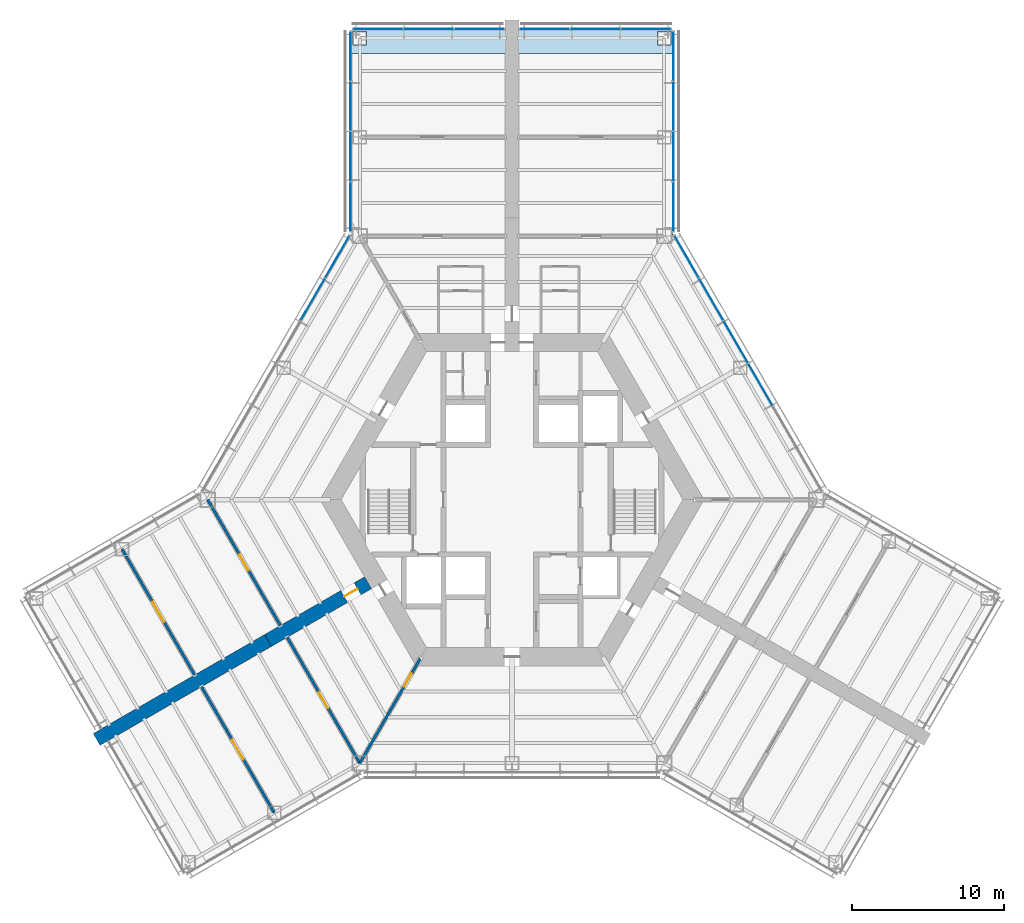
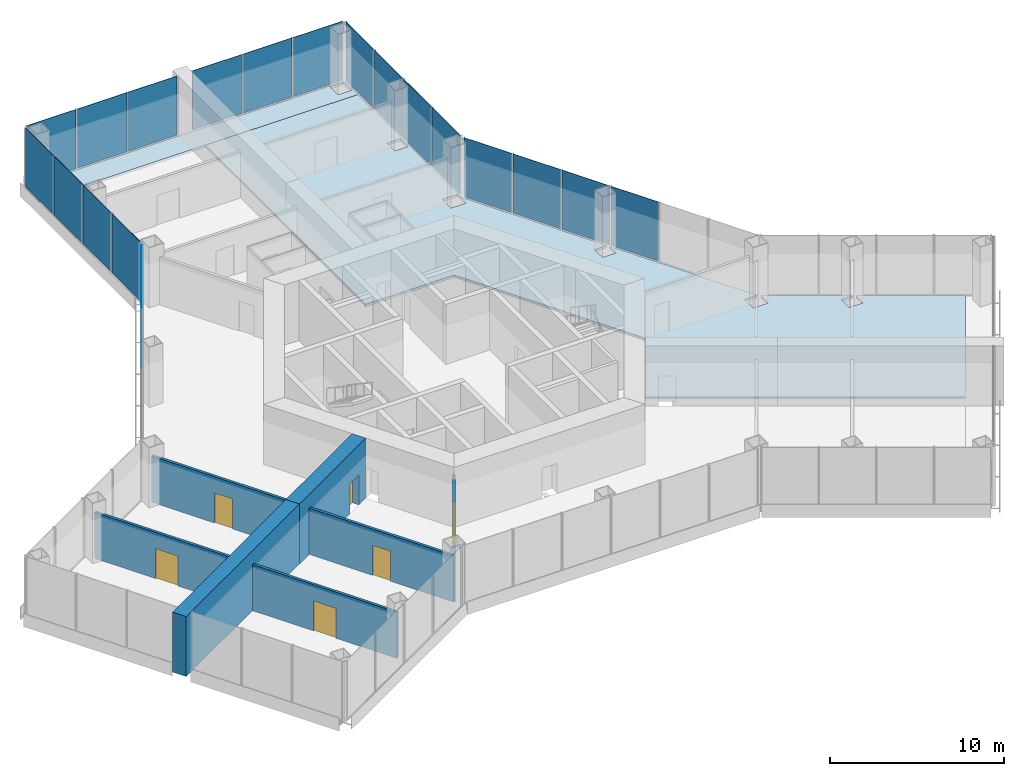
# One storey, part 10 of 15: 20 plates, 7 walls, 6 doors, 2 slabs, 6 openings, 6 elements without a shape of their own.
"""IFC4 building model written with IfcOpenShell, lengths in metres."""

from ifc_helpers import new_model, si_unit, direction, frame, frame_2d, origin, origin_2d, place, context, subcontext, project, spatial, polyline, rectangle, outline, extrude, material, layer, layer_set, type_object, element, fill, aggregate, save


model = new_model("IFC4")

# Units and contexts
model_context = context("Model", 3, precision=1e-05, world=origin(), true_north=direction((0.0, 1.0)))
body_context = subcontext(model_context, "Body", "Model", "MODEL_VIEW")
ifc_project = project(units=[si_unit("LENGTHUNIT", "METRE"), si_unit("AREAUNIT", "SQUARE_METRE"), si_unit("VOLUMEUNIT", "CUBIC_METRE"), si_unit("PLANEANGLEUNIT", "RADIAN"), si_unit("MASSUNIT", "GRAM", prefix="KILO")], contexts=[model_context])

# Site, building, storey
site_placement = place(None, origin())
site = spatial("IfcSite", under=ifc_project, at=site_placement, CompositionType="ELEMENT")
building_placement = place(site_placement, origin())
building = spatial("IfcBuilding", under=site, at=building_placement, Name="Kasaneha Research Tower", CompositionType="ELEMENT")
storey_placement = place(building_placement, frame((0.0, 0.0, 35.199951171875)))
storey = spatial("IfcBuildingStorey", under=building, at=storey_placement, Name="L09", CompositionType="ELEMENT", Elevation=35.199951171875)

# Curtain wall, plates
ifc_material_1 = material(Name="Glass and aluminium", Category="aluminium")
curtain_wall_type = type_object("IfcCurtainWallType", Name="Dry laboratory curtain wall", PredefinedType="USERDEFINED", material=ifc_material_1)
curtain_wall_1_placement = place(storey_placement, origin())
curtain_wall_1 = element("IfcCurtainWall", 1, at=curtain_wall_1_placement, inside=storey, type_object=curtain_wall_type, Name="CW-L2 L09 run 07a", ObjectType="UNITISED CURTAIN WALL", PredefinedType="USERDEFINED")
ifc_material_2 = material(Name="Laminated double glazing", Category="glass")
ifc_layer_1 = layer(ifc_material_2, 0.028076171875)
ifc_layer_set_1 = layer_set([ifc_layer_1], Name="CW-L2 glazed panel")
plate_type = type_object("IfcPlateType", Name="CW-L2 glazed panel", PredefinedType="CURTAIN_PANEL", material=ifc_layer_set_1)
plate_1_placement = place(storey_placement, frame((16.331298828125, 7.554443359375, 0.06494140625), z_axis=(0.0, 0.0, 1.0), x_axis=(-0.49999996188, 0.866025425793, 0.0)))
plate_1 = element("IfcPlate", 2, at=plate_1_placement, type_object=plate_type, Name="CW-L2 panel 3", PredefinedType="CURTAIN_PANEL", context=body_context, shape_type="SweptSolid", body=[
    extrude(rectangle(XDim=3.181396484375, YDim=0.028076171875, at=origin_2d()), origin(), (0.0, 0.0, 1.0), 4.135009765625),
])
plate_2_placement = place(storey_placement, frame((14.7080078125, 10.365966796875, 0.06494140625), z_axis=(0.0, 0.0, 1.0), x_axis=(-0.49999996188, 0.866025425793, 0.0)))
plate_2 = element("IfcPlate", 3, at=plate_2_placement, type_object=plate_type, Name="CW-L2 panel 4", PredefinedType="CURTAIN_PANEL", context=body_context, shape_type="SweptSolid", body=[
    extrude(rectangle(XDim=3.181396484375, YDim=0.028076171875, at=origin_2d()), origin(), (0.0, 0.0, 1.0), 4.135009765625),
])
plate_3_placement = place(storey_placement, frame((13.084716796875, 13.177490234375, 0.06494140625), z_axis=(0.0, 0.0, 1.0), x_axis=(-0.49999996188, 0.866025425793, 0.0)))
plate_3 = element("IfcPlate", 4, at=plate_3_placement, type_object=plate_type, Name="CW-L2 panel 5", PredefinedType="CURTAIN_PANEL", context=body_context, shape_type="SweptSolid", body=[
    extrude(rectangle(XDim=3.181396484375, YDim=0.028076171875, at=origin_2d()), origin(), (0.0, 0.0, 1.0), 4.135009765625),
])
plate_4_placement = place(storey_placement, frame((11.4697265625, 15.974853515625, 0.06494140625), z_axis=(0.0, 0.0, 1.0), x_axis=(-0.49999996188, 0.866025425793, 0.0)))
plate_4 = element("IfcPlate", 5, at=plate_4_placement, type_object=plate_type, Name="CW-L2 panel 6", PredefinedType="CURTAIN_PANEL", context=body_context, shape_type="SweptSolid", body=[
    extrude(rectangle(XDim=3.14892578125, YDim=0.028076171875, at=origin_2d()), origin(), (0.0, 0.0, 1.0), 4.135009765625),
])
aggregate(curtain_wall_1, [plate_1, plate_2, plate_3, plate_4])

curtain_wall_2_placement = place(storey_placement, origin())
curtain_wall_2 = element("IfcCurtainWall", 6, at=curtain_wall_2_placement, inside=storey, type_object=curtain_wall_type, Name="CW-L2 L09 run 08a", ObjectType="UNITISED CURTAIN WALL", PredefinedType="USERDEFINED")
plate_5_placement = place(storey_placement, frame((10.60009765625, 19.25244140625, 0.06494140625), z_axis=(0.0, 0.0, 1.0), x_axis=(0.0, 1.0, 0.0)))
plate_5 = element("IfcPlate", 7, at=plate_5_placement, type_object=plate_type, Name="CW-L2 panel 1", PredefinedType="CURTAIN_PANEL", context=body_context, shape_type="SweptSolid", body=[
    extrude(rectangle(XDim=3.21240234375, YDim=0.028076171875, at=origin_2d()), origin(), (0.0, 0.0, 1.0), 4.135009765625),
])
plate_6_placement = place(storey_placement, frame((10.60009765625, 22.5458984375, 0.06494140625), z_axis=(0.0, 0.0, 1.0), x_axis=(0.0, 1.0, 0.0)))
plate_6 = element("IfcPlate", 8, at=plate_6_placement, type_object=plate_type, Name="CW-L2 panel 2", PredefinedType="CURTAIN_PANEL", context=body_context, shape_type="SweptSolid", body=[
    extrude(rectangle(XDim=3.244873046875, YDim=0.028076171875, at=origin_2d()), origin(), (0.0, 0.0, 1.0), 4.135009765625),
])
plate_7_placement = place(storey_placement, frame((10.60009765625, 25.855712890625, 0.06494140625), z_axis=(0.0, 0.0, 1.0), x_axis=(0.0, 1.0, 0.0)))
plate_7 = element("IfcPlate", 9, at=plate_7_placement, type_object=plate_type, Name="CW-L2 panel 3", PredefinedType="CURTAIN_PANEL", context=body_context, shape_type="SweptSolid", body=[
    extrude(rectangle(XDim=3.244873046875, YDim=0.028076171875, at=origin_2d()), origin(), (0.0, 0.0, 1.0), 4.135009765625),
])
plate_8_placement = place(storey_placement, frame((10.60009765625, 29.1494140625, 0.06494140625), z_axis=(0.0, 0.0, 1.0), x_axis=(0.0, 1.0, 0.0)))
plate_8 = element("IfcPlate", 10, at=plate_8_placement, type_object=plate_type, Name="CW-L2 panel 4", PredefinedType="CURTAIN_PANEL", context=body_context, shape_type="SweptSolid", body=[
    extrude(rectangle(XDim=3.21240234375, YDim=0.028076171875, at=origin_2d()), origin(), (0.0, 0.0, 1.0), 4.135009765625),
])
aggregate(curtain_wall_2, [plate_5, plate_6, plate_7, plate_8])

curtain_wall_3_placement = place(storey_placement, origin())
curtain_wall_3 = element("IfcCurtainWall", 11, at=curtain_wall_3_placement, inside=storey, type_object=curtain_wall_type, Name="CW-L2 L09 run 09a", ObjectType="UNITISED CURTAIN WALL", PredefinedType="USERDEFINED")
plate_9_placement = place(storey_placement, frame((8.808837890625, 30.92041015625, 0.06494140625), z_axis=(0.0, 0.0, 1.0), x_axis=(-1.0, 0.0, 0.0)))
plate_9 = element("IfcPlate", 12, at=plate_9_placement, type_object=plate_type, Name="CW-L2 panel 1", PredefinedType="CURTAIN_PANEL", context=body_context, shape_type="SweptSolid", body=[
    extrude(rectangle(XDim=3.25244140625, YDim=0.028076171875, at=origin_2d()), origin(), (0.0, 0.0, 1.0), 4.135009765625),
])
plate_10_placement = place(storey_placement, frame((5.47509765625, 30.92041015625, 0.06494140625), z_axis=(0.0, 0.0, 1.0), x_axis=(-1.0, 0.0, 0.0)))
plate_10 = element("IfcPlate", 13, at=plate_10_placement, type_object=plate_type, Name="CW-L2 panel 2", PredefinedType="CURTAIN_PANEL", context=body_context, shape_type="SweptSolid", body=[
    extrude(rectangle(XDim=3.284912109375, YDim=0.028076171875, at=origin_2d()), origin(), (0.0, 0.0, 1.0), 4.135009765625),
])
plate_11_placement = place(storey_placement, frame((2.141357421875, 30.92041015625, 0.06494140625), z_axis=(0.0, 0.0, 1.0), x_axis=(-1.0, 0.0, 0.0)))
plate_11 = element("IfcPlate", 14, at=plate_11_placement, type_object=plate_type, Name="CW-L2 panel 3", PredefinedType="CURTAIN_PANEL", context=body_context, shape_type="SweptSolid", body=[
    extrude(rectangle(XDim=3.25244140625, YDim=0.028076171875, at=origin_2d()), origin(), (0.0, 0.0, 1.0), 4.135009765625),
])
aggregate(curtain_wall_3, [plate_9, plate_10, plate_11])

curtain_wall_4_placement = place(storey_placement, origin())
curtain_wall_4 = element("IfcCurtainWall", 15, at=curtain_wall_4_placement, inside=storey, type_object=curtain_wall_type, Name="CW-L2 L09 run 10a", ObjectType="UNITISED CURTAIN WALL", PredefinedType="USERDEFINED")
plate_12_placement = place(storey_placement, frame((-2.141357421875, 30.92041015625, 0.06494140625), z_axis=(0.0, 0.0, 1.0), x_axis=(-1.0, 0.0, 0.0)))
plate_12 = element("IfcPlate", 16, at=plate_12_placement, type_object=plate_type, Name="CW-L2 panel 1", PredefinedType="CURTAIN_PANEL", context=body_context, shape_type="SweptSolid", body=[
    extrude(rectangle(XDim=3.25244140625, YDim=0.028076171875, at=origin_2d()), origin(), (0.0, 0.0, 1.0), 4.135009765625),
])
plate_13_placement = place(storey_placement, frame((-5.47509765625, 30.92041015625, 0.06494140625), z_axis=(0.0, 0.0, 1.0), x_axis=(-1.0, 0.0, 0.0)))
plate_13 = element("IfcPlate", 17, at=plate_13_placement, type_object=plate_type, Name="CW-L2 panel 2", PredefinedType="CURTAIN_PANEL", context=body_context, shape_type="SweptSolid", body=[
    extrude(rectangle(XDim=3.284912109375, YDim=0.028076171875, at=origin_2d()), origin(), (0.0, 0.0, 1.0), 4.135009765625),
])
plate_14_placement = place(storey_placement, frame((-8.808837890625, 30.92041015625, 0.06494140625), z_axis=(0.0, 0.0, 1.0), x_axis=(-1.0, 0.0, 0.0)))
plate_14 = element("IfcPlate", 18, at=plate_14_placement, type_object=plate_type, Name="CW-L2 panel 3", PredefinedType="CURTAIN_PANEL", context=body_context, shape_type="SweptSolid", body=[
    extrude(rectangle(XDim=3.25244140625, YDim=0.028076171875, at=origin_2d()), origin(), (0.0, 0.0, 1.0), 4.135009765625),
])
aggregate(curtain_wall_4, [plate_12, plate_13, plate_14])

curtain_wall_5_placement = place(storey_placement, origin())
curtain_wall_5 = element("IfcCurtainWall", 19, at=curtain_wall_5_placement, inside=storey, type_object=curtain_wall_type, Name="CW-L2 L09 run 11a", ObjectType="UNITISED CURTAIN WALL", PredefinedType="USERDEFINED")
plate_15_placement = place(storey_placement, frame((-10.60009765625, 29.1494140625, 0.06494140625), z_axis=(0.0, 0.0, 1.0), x_axis=(0.0, -1.0, 0.0)))
plate_15 = element("IfcPlate", 20, at=plate_15_placement, type_object=plate_type, Name="CW-L2 panel 1", PredefinedType="CURTAIN_PANEL", context=body_context, shape_type="SweptSolid", body=[
    extrude(rectangle(XDim=3.21240234375, YDim=0.028076171875, at=origin_2d()), origin(), (0.0, 0.0, 1.0), 4.135009765625),
])
plate_16_placement = place(storey_placement, frame((-10.60009765625, 25.855712890625, 0.06494140625), z_axis=(0.0, 0.0, 1.0), x_axis=(0.0, -1.0, 0.0)))
plate_16 = element("IfcPlate", 21, at=plate_16_placement, type_object=plate_type, Name="CW-L2 panel 2", PredefinedType="CURTAIN_PANEL", context=body_context, shape_type="SweptSolid", body=[
    extrude(rectangle(XDim=3.244873046875, YDim=0.028076171875, at=origin_2d()), origin(), (0.0, 0.0, 1.0), 4.135009765625),
])
plate_17_placement = place(storey_placement, frame((-10.60009765625, 22.5458984375, 0.06494140625), z_axis=(0.0, 0.0, 1.0), x_axis=(0.0, -1.0, 0.0)))
plate_17 = element("IfcPlate", 22, at=plate_17_placement, type_object=plate_type, Name="CW-L2 panel 3", PredefinedType="CURTAIN_PANEL", context=body_context, shape_type="SweptSolid", body=[
    extrude(rectangle(XDim=3.244873046875, YDim=0.028076171875, at=origin_2d()), origin(), (0.0, 0.0, 1.0), 4.135009765625),
])
plate_18_placement = place(storey_placement, frame((-10.60009765625, 19.25244140625, 0.06494140625), z_axis=(0.0, 0.0, 1.0), x_axis=(0.0, -1.0, 0.0)))
plate_18 = element("IfcPlate", 23, at=plate_18_placement, type_object=plate_type, Name="CW-L2 panel 4", PredefinedType="CURTAIN_PANEL", context=body_context, shape_type="SweptSolid", body=[
    extrude(rectangle(XDim=3.21240234375, YDim=0.028076171875, at=origin_2d()), origin(), (0.0, 0.0, 1.0), 4.135009765625),
])
aggregate(curtain_wall_5, [plate_15, plate_16, plate_17, plate_18])

curtain_wall_6_placement = place(storey_placement, origin())
curtain_wall_6 = element("IfcCurtainWall", 24, at=curtain_wall_6_placement, inside=storey, type_object=curtain_wall_type, Name="CW-L2 L09 run 12a", ObjectType="UNITISED CURTAIN WALL", PredefinedType="USERDEFINED")
plate_19_placement = place(storey_placement, frame((-11.4697265625, 15.974853515625, 0.06494140625), z_axis=(0.0, 0.0, 1.0), x_axis=(-0.49999996188, -0.866025425793, 0.0)))
plate_19 = element("IfcPlate", 25, at=plate_19_placement, type_object=plate_type, Name="CW-L2 panel 1", PredefinedType="CURTAIN_PANEL", context=body_context, shape_type="SweptSolid", body=[
    extrude(rectangle(XDim=3.14892578125, YDim=0.028076171875, at=origin_2d()), origin(), (0.0, 0.0, 1.0), 4.135009765625),
])
plate_20_placement = place(storey_placement, frame((-13.084716796875, 13.177490234375, 0.06494140625), z_axis=(0.0, 0.0, 1.0), x_axis=(-0.49999996188, -0.866025425793, 0.0)))
plate_20 = element("IfcPlate", 26, at=plate_20_placement, type_object=plate_type, Name="CW-L2 panel 2", PredefinedType="CURTAIN_PANEL", context=body_context, shape_type="SweptSolid", body=[
    extrude(rectangle(XDim=3.181396484375, YDim=0.028076171875, at=origin_2d()), origin(), (0.0, 0.0, 1.0), 4.135009765625),
])
aggregate(curtain_wall_6, [plate_19, plate_20])

# Slabs
ifc_material_3 = material(Name="Concrete Fc24", Category="concrete")
ifc_layer_2 = layer(ifc_material_3, 0.169921875)
ifc_layer_set_2 = layer_set([ifc_layer_2], Name="Floor slab 170")
slab_type = type_object("IfcSlabType", Name="Floor slab 170", PredefinedType="FLOOR", material=ifc_layer_set_2)
slab_1_placement = place(storey_placement, frame((0.0, 0.0, -0.169921875)))
element("IfcSlab", 27, at=slab_1_placement, inside=storey, type_object=slab_type, Name="Floor slab L09 3", PredefinedType="FLOOR", context=body_context, shape_type="SweptSolid", body=[
    extrude(outline(polyline([(10.550048828125, 29.310546875), (0.449951171875, 29.310546875), (0.449951171875, 29.320556640625), (-0.449951171875, 29.320556640625), (-0.449951171875, 29.310546875), (-10.550048828125, 29.310546875), (-10.550048828125, 30.87060546875), (10.550048828125, 30.87060546875), (10.550048828125, 29.310546875)]), holes=[polyline([(-9.550048828125, 29.87060546875), (-9.550048828125, 30.7705078125), (-10.449951171875, 30.7705078125), (-10.449951171875, 29.87060546875), (-9.550048828125, 29.87060546875)]), polyline([(9.550048828125, 29.87060546875), (10.449951171875, 29.87060546875), (10.449951171875, 30.7705078125), (9.550048828125, 30.7705078125), (9.550048828125, 29.87060546875)])]), origin(), (0.0, 0.0, 1.0), 0.169921875),
])
slab_2_placement = place(storey_placement, frame((0.0, 0.0, -0.169921875)))
element("IfcSlab", 28, at=slab_2_placement, inside=storey, type_object=slab_type, Name="Floor slab L09 5", PredefinedType="FLOOR", context=body_context, shape_type="SweptSolid", body=[
    extrude(outline(polyline([(9.686279296875, -5.07275390625), (12.614990234375, 0.0), (6.3076171875, 10.925048828125), (0.449951171875, 10.925048828125), (0.449951171875, 29.310546875), (10.550048828125, 29.310546875), (10.550048828125, 17.4677734375), (15.375244140625, 9.1103515625), (14.550048828125, 9.1103515625), (14.550048828125, 8.210205078125), (15.449951171875, 8.210205078125), (15.449951171875, 8.980712890625), (20.346435546875, 0.5), (19.5, 0.5), (19.5, -0.5), (20.5, -0.5), (20.5, 0.346435546875), (25.083740234375, -2.300048828125), (24.313232421875, -2.300048828125), (24.313232421875, -3.199951171875), (25.213134765625, -3.199951171875), (25.213134765625, -2.374755859375), (30.65869140625, -5.518798828125), (25.608642578125, -14.265625), (9.686279296875, -5.07275390625)]), holes=[polyline([(9.5, 16.820556640625), (10.5, 16.820556640625), (10.5, 17.820556640625), (9.5, 17.820556640625), (9.5, 16.820556640625)]), polyline([(9.550048828125, 23.37060546875), (10.449951171875, 23.37060546875), (10.449951171875, 24.2705078125), (9.550048828125, 24.2705078125), (9.550048828125, 23.37060546875)])]), origin(), (0.0, 0.0, 1.0), 0.169921875),
])

# Wall, opening, door
ifc_material_4 = material(Name="Gypsum board on steel studs, two layers each side", Category="steel")
ifc_layer_3 = layer(ifc_material_4, 0.175048828125)
ifc_layer_set_3 = layer_set([ifc_layer_3], Name="Laboratory fire partition 175")
wall_type_1 = type_object("IfcWallType", Name="Laboratory fire partition 175", PredefinedType="PARTITIONING", material=ifc_layer_set_3)
wall_1_placement = place(storey_placement, frame((-15.22509765625, -8.2705078125, 0.0), z_axis=(0.0, 0.0, 1.0), x_axis=(-0.499993908199, 0.866028920859, 0.0)))
wall_1 = element("IfcWall", 29, at=wall_1_placement, inside=storey, type_object=wall_type_1, Name="Laboratory fire partition LABB-N L09", PredefinedType="PARTITIONING", context=body_context, shape_type="SweptSolid", body=[
    extrude(rectangle(XDim=9.5498046875, YDim=0.175048828125, at=frame_2d((4.77490234375, 0.0))), origin(), (0.0, 0.0, 1.0), 3.238037109375),
])
opening_1_placement = place(wall_1_placement, frame((4.175048828125, 0.0, 0.0)))
opening_1 = element("IfcOpeningElement", 30, at=opening_1_placement, cuts=wall_1, Name="Opening L09-D33", PredefinedType="OPENING", context=body_context, shape_type="SweptSolid", body=[
    extrude(rectangle(XDim=1.199951171875, YDim=2.10009765625, at=frame_2d((0.60009765625, 1.050048828125))), frame((0.0, 0.09765625, 0.0), z_axis=(0.0, -1.0, 0.0), x_axis=(1.0, 0.0, 0.0)), (0.0, 0.0, 1.0), 0.195068359375),
])
ifc_material_5 = material(Name="Steel", Category="steel")
door_type_1 = type_object("IfcDoorType", Name="Laboratory door FD60 1200x2100", OperationType="DOUBLE_DOOR_SINGLE_SWING", PredefinedType="DOOR", material=ifc_material_5)
door_1_placement = place(opening_1_placement, origin())
door_1 = element("IfcDoor", 31, at=door_1_placement, inside=storey, type_object=door_type_1, Name="Laboratory door L09-D33", OperationType="DOUBLE_DOOR_SINGLE_SWING", OverallHeight=2.10009765625, OverallWidth=1.199951171875, PredefinedType="DOOR", context=body_context, shape_type="SweptSolid", body=[
    extrude(rectangle(XDim=1.199951171875, YDim=2.10009765625, at=frame_2d((0.60009765625, 1.050048828125))), frame((0.0, 0.02490234375, 0.0), z_axis=(0.0, -1.0, 0.0), x_axis=(1.0, 0.0, 0.0)), (0.0, 0.0, 1.0), 0.050048828125),
])
fill(opening_1, door_1)

wall_2_placement = place(storey_placement, frame((-20.854248046875, -11.5205078125, 0.0), z_axis=(0.0, 0.0, 1.0), x_axis=(-0.499993908199, 0.866028920859, 0.0)))
wall_2 = element("IfcWall", 32, at=wall_2_placement, inside=storey, type_object=wall_type_1, Name="Laboratory fire partition INSB-N L09", PredefinedType="PARTITIONING", context=body_context, shape_type="SweptSolid", body=[
    extrude(rectangle(XDim=9.5498046875, YDim=0.175048828125, at=frame_2d((4.77490234375, 0.0))), origin(), (0.0, 0.0, 1.0), 3.22998046875),
])
opening_2_placement = place(wall_2_placement, frame((4.02490234375, 0.0, 0.0)))
opening_2 = element("IfcOpeningElement", 33, at=opening_2_placement, cuts=wall_2, Name="Opening L09-D34", PredefinedType="OPENING", context=body_context, shape_type="SweptSolid", body=[
    extrude(rectangle(XDim=1.5, YDim=2.10009765625, at=frame_2d((0.75, 1.050048828125))), frame((0.0, 0.09765625, 0.0), z_axis=(0.0, -1.0, 0.0), x_axis=(1.0, 0.0, 0.0)), (0.0, 0.0, 1.0), 0.195068359375),
])
ifc_material_6 = material(Name="Steel", Category="steel")
door_type_2 = type_object("IfcDoorType", Name="Laboratory door FD60 1500x2100", OperationType="DOUBLE_DOOR_SINGLE_SWING", PredefinedType="DOOR", material=ifc_material_6)
door_2_placement = place(opening_2_placement, origin())
door_2 = element("IfcDoor", 34, at=door_2_placement, inside=storey, type_object=door_type_2, Name="Instrument room door L09-D34", OperationType="DOUBLE_DOOR_SINGLE_SWING", OverallHeight=2.10009765625, OverallWidth=1.5, PredefinedType="DOOR", context=body_context, shape_type="SweptSolid", body=[
    extrude(rectangle(XDim=1.5, YDim=2.10009765625, at=frame_2d((0.75, 1.050048828125))), frame((0.0, 0.02490234375, 0.0), z_axis=(0.0, -1.0, 0.0), x_axis=(1.0, 0.0, 0.0)), (0.0, 0.0, 1.0), 0.050048828125),
])
fill(opening_2, door_2)

wall_3_placement = place(storey_placement, frame((-14.77490234375, -9.050048828125, 0.0), z_axis=(0.0, 0.0, 1.0), x_axis=(0.499993908199, -0.866028920859, 0.0)))
wall_3 = element("IfcWall", 35, at=wall_3_placement, inside=storey, type_object=wall_type_1, Name="Laboratory fire partition LABB-S L09", PredefinedType="PARTITIONING", context=body_context, shape_type="SweptSolid", body=[
    extrude(rectangle(XDim=9.5498046875, YDim=0.175048828125, at=frame_2d((4.77490234375, 0.0))), origin(), (0.0, 0.0, 1.0), 3.238037109375),
])
opening_3_placement = place(wall_3_placement, frame((4.175048828125, 0.0, 0.0)))
opening_3 = element("IfcOpeningElement", 36, at=opening_3_placement, cuts=wall_3, Name="Opening L09-D35", PredefinedType="OPENING", context=body_context, shape_type="SweptSolid", body=[
    extrude(rectangle(XDim=1.199951171875, YDim=2.10009765625, at=frame_2d((0.60009765625, 1.050048828125))), frame((0.0, 0.09765625, 0.0), z_axis=(0.0, -1.0, 0.0), x_axis=(1.0, 0.0, 0.0)), (0.0, 0.0, 1.0), 0.195068359375),
])
door_3_placement = place(opening_3_placement, origin())
door_3 = element("IfcDoor", 37, at=door_3_placement, inside=storey, type_object=door_type_1, Name="Laboratory door L09-D35", OperationType="DOUBLE_DOOR_SINGLE_SWING", OverallHeight=2.10009765625, OverallWidth=1.199951171875, PredefinedType="DOOR", context=body_context, shape_type="SweptSolid", body=[
    extrude(rectangle(XDim=1.199951171875, YDim=2.10009765625, at=frame_2d((0.60009765625, 1.050048828125))), frame((0.0, 0.02490234375, 0.0), z_axis=(0.0, -1.0, 0.0), x_axis=(1.0, 0.0, 0.0)), (0.0, 0.0, 1.0), 0.050048828125),
])
fill(opening_3, door_3)

wall_4_placement = place(storey_placement, frame((-20.404052734375, -12.300048828125, 0.0), z_axis=(0.0, 0.0, 1.0), x_axis=(0.499993908199, -0.866028920859, 0.0)))
wall_4 = element("IfcWall", 38, at=wall_4_placement, inside=storey, type_object=wall_type_1, Name="Laboratory fire partition INSB-S L09", PredefinedType="PARTITIONING", context=body_context, shape_type="SweptSolid", body=[
    extrude(rectangle(XDim=9.5498046875, YDim=0.175048828125, at=frame_2d((4.77490234375, 0.0))), origin(), (0.0, 0.0, 1.0), 3.22998046875),
])
opening_4_placement = place(wall_4_placement, frame((4.02490234375, 0.0, 0.0)))
opening_4 = element("IfcOpeningElement", 39, at=opening_4_placement, cuts=wall_4, Name="Opening L09-D36", PredefinedType="OPENING", context=body_context, shape_type="SweptSolid", body=[
    extrude(rectangle(XDim=1.5, YDim=2.10009765625, at=frame_2d((0.75, 1.050048828125))), frame((0.0, 0.09765625, 0.0), z_axis=(0.0, -1.0, 0.0), x_axis=(1.0, 0.0, 0.0)), (0.0, 0.0, 1.0), 0.195068359375),
])
door_4_placement = place(opening_4_placement, origin())
door_4 = element("IfcDoor", 40, at=door_4_placement, inside=storey, type_object=door_type_2, Name="Instrument room door L09-D36", OperationType="DOUBLE_DOOR_SINGLE_SWING", OverallHeight=2.10009765625, OverallWidth=1.5, PredefinedType="DOOR", context=body_context, shape_type="SweptSolid", body=[
    extrude(rectangle(XDim=1.5, YDim=2.10009765625, at=frame_2d((0.75, 1.050048828125))), frame((0.0, 0.02490234375, 0.0), z_axis=(0.0, -1.0, 0.0), x_axis=(1.0, 0.0, 0.0)), (0.0, 0.0, 1.0), 0.050048828125),
])
fill(opening_4, door_4)

ifc_material_7 = material(Name="Concrete Fc100", Category="concrete")
ifc_layer_4 = layer(ifc_material_7, 0.89990234375)
ifc_layer_set_4 = layer_set([ifc_layer_4], Name="Spine wall 900 Fc100")
wall_type_2 = type_object("IfcWallType", Name="Spine wall 900 Fc100", PredefinedType="SHEAR", material=ifc_layer_set_4)
wall_5_placement = place(storey_placement, frame((-9.46142578125, -5.46240234375, 0.0), z_axis=(0.0, 0.0, 1.0), x_axis=(-0.866019116917, -0.500010889016, 0.0)))
wall_5 = element("IfcWall", 41, at=wall_5_placement, inside=storey, type_object=wall_type_2, Name="Spine wall B L09", PredefinedType="SHEAR", context=body_context, shape_type="SweptSolid", body=[
    extrude(rectangle(XDim=7.595458984375, YDim=0.89990234375, at=frame_2d((3.7978515625, 0.0))), origin(), (0.0, 0.0, 1.0), 4.199951171875),
])
opening_5_placement = place(wall_5_placement, frame((0.800048828125, 0.0, 0.0)))
opening_5 = element("IfcOpeningElement", 42, at=opening_5_placement, cuts=wall_5, Name="Opening L09-D18", PredefinedType="OPENING", context=body_context, shape_type="SweptSolid", body=[
    extrude(rectangle(XDim=1.0, YDim=2.10009765625, at=frame_2d((0.5, 1.050048828125))), frame((0.0, 0.4599609375, 0.0), z_axis=(0.0, -1.0, 0.0), x_axis=(1.0, 0.0, 0.0)), (0.0, 0.0, 1.0), 0.919921875),
])
ifc_material_8 = material(Name="Steel", Category="steel")
door_type_3 = type_object("IfcDoorType", Name="Specified fire door FD60 1000x2100", OperationType="NOTDEFINED", PredefinedType="DOOR", material=ifc_material_8)
door_5_placement = place(opening_5_placement, origin())
door_5 = element("IfcDoor", 43, at=door_5_placement, inside=storey, type_object=door_type_3, Name="Spine doorway B L09-D18", OperationType="SINGLE_SWING_LEFT", OverallHeight=2.10009765625, OverallWidth=1.0, PredefinedType="DOOR", context=body_context, shape_type="SweptSolid", body=[
    extrude(rectangle(XDim=1.0, YDim=2.10009765625, at=frame_2d((0.5, 1.050048828125))), frame((0.0, 0.02490234375, 0.0), z_axis=(0.0, -1.0, 0.0), x_axis=(1.0, 0.0, 0.0)), (0.0, 0.0, 1.0), 0.050048828125),
])
fill(opening_5, door_5)

# Wall
wall_6_placement = place(storey_placement, frame((-16.039306640625, -9.26025390625, 0.0), z_axis=(0.0, 0.0, 1.0), x_axis=(-0.866024837091, -0.50000098154, 0.0)))
element("IfcWall", 44, at=wall_6_placement, inside=storey, type_object=wall_type_2, Name="Spine wall B wing L09", PredefinedType="SHEAR", context=body_context, shape_type="SweptSolid", body=[
    extrude(rectangle(XDim=13.0, YDim=0.89990234375, at=frame_2d((6.5, 0.0))), origin(), (0.0, 0.0, 1.0), 4.199951171875),
])

# Wall, opening, door
ifc_material_9 = material(Name="Gypsum board on steel studs, two layers each side", Category="steel")
ifc_layer_5 = layer(ifc_material_9, 0.175048828125)
ifc_layer_set_5 = layer_set([ifc_layer_5], Name="Tenancy fire partition 175")
wall_type_3 = type_object("IfcWallType", Name="Tenancy fire partition 175", PredefinedType="PARTITIONING", material=ifc_layer_set_5)
wall_7_placement = place(storey_placement, frame((-6.03515625, -10.453125, 0.0), z_axis=(0.0, 0.0, 1.0), x_axis=(-0.499993402427, -0.866029212861, 0.0)))
wall_7 = element("IfcWall", 45, at=wall_7_placement, inside=storey, type_object=wall_type_3, Name="Tenancy fire partition T240 L09", PredefinedType="PARTITIONING", context=body_context, shape_type="SweptSolid", body=[
    extrude(outline(polyline([(-0.050537109375, -0.08740234375), (1.12939453125, -0.08740234375), (2.12939453125, -0.08740234375), (7.9296875, -0.08740234375), (7.9296875, 0.08740234375), (2.12939453125, 0.08740234375), (1.12939453125, 0.08740234375), (0.050537109375, 0.08740234375), (-0.050537109375, -0.08740234375)])), origin(), (0.0, 0.0, 1.0), 3.330078125),
])
opening_6_placement = place(wall_7_placement, frame((1.12939453125, 0.0, 0.0)))
opening_6 = element("IfcOpeningElement", 46, at=opening_6_placement, cuts=wall_7, Name="Opening L09-D24", PredefinedType="OPENING", context=body_context, shape_type="SweptSolid", body=[
    extrude(rectangle(XDim=1.0, YDim=2.10009765625, at=frame_2d((0.5, 1.050048828125))), frame((0.0, 0.09765625, 0.0), z_axis=(0.0, -1.0, 0.0), x_axis=(1.0, 0.0, 0.0)), (0.0, 0.0, 1.0), 0.195068359375),
])
ifc_material_10 = material(Name="Steel", Category="steel")
door_type_4 = type_object("IfcDoorType", Name="Suite entrance door FD60 1000x2100", OperationType="NOTDEFINED", PredefinedType="DOOR", material=ifc_material_10)
door_6_placement = place(opening_6_placement, origin())
door_6 = element("IfcDoor", 47, at=door_6_placement, inside=storey, type_object=door_type_4, Name="Connecting door L09-D24", OperationType="SINGLE_SWING_LEFT", OverallHeight=2.10009765625, OverallWidth=1.0, PredefinedType="DOOR", context=body_context, shape_type="SweptSolid", body=[
    extrude(rectangle(XDim=1.0, YDim=2.10009765625, at=frame_2d((0.5, 1.050048828125))), frame((0.0, 0.02490234375, 0.0), z_axis=(0.0, -1.0, 0.0), x_axis=(1.0, 0.0, 0.0)), (0.0, 0.0, 1.0), 0.050048828125),
])
fill(opening_6, door_6)

save(model, "model.ifc")
